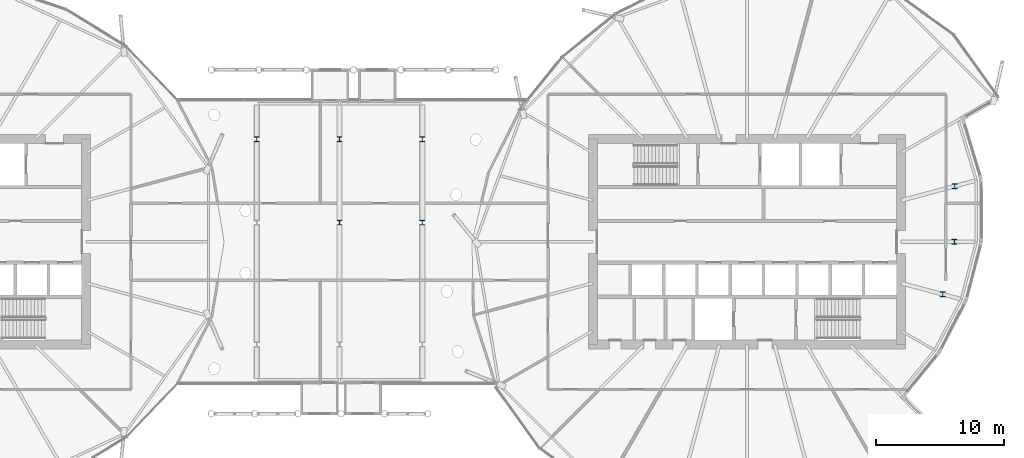
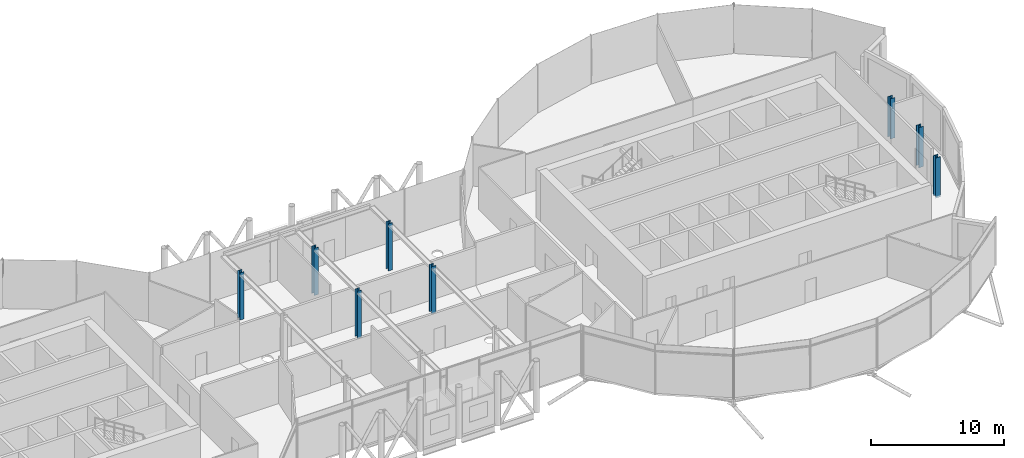
# One storey, part 2 of 36: 8 columns.
"""IFC4 building model written with IfcOpenShell, lengths in metres."""

from ifc_helpers import new_model, si_unit, direction, frame, origin, origin_2d, place, context, subcontext, project, spatial, i_section, extrude, material, material_profile, profile_set, type_object, element, save


model = new_model("IFC4")

# Units and contexts
model_context = context("Model", 3, precision=1e-05, world=origin(), true_north=direction((0.0, 1.0)))
body_context = subcontext(model_context, "Body", "Model", "MODEL_VIEW")
ifc_project = project(units=[si_unit("LENGTHUNIT", "METRE"), si_unit("AREAUNIT", "SQUARE_METRE"), si_unit("VOLUMEUNIT", "CUBIC_METRE"), si_unit("PLANEANGLEUNIT", "RADIAN"), si_unit("MASSUNIT", "GRAM", prefix="KILO")], contexts=[model_context])

# Site, building, storey
site_placement = place(None, origin())
site = spatial("IfcSite", under=ifc_project, at=site_placement, CompositionType="ELEMENT")
building_placement = place(site_placement, origin())
building = spatial("IfcBuilding", under=site, at=building_placement, Name="Rimbun Link Towers", CompositionType="ELEMENT")
storey_placement = place(building_placement, frame((0.0, 0.0, 154.39990234375)))
storey = spatial("IfcBuildingStorey", under=building, at=storey_placement, Name="L37", CompositionType="ELEMENT", Elevation=154.39990234375)

# Columns
ifc_material_1 = material(Name="Steel S355J2", Category="steel")
ifc_material_profile_1 = material_profile(ifc_material_1, i_section(OverallWidth=0.374755859375, OverallDepth=0.37451171875, WebThickness=0.0166015625, FlangeThickness=0.027099609375, at=origin_2d()), Name="UKC 356x368x202")
ifc_profile_set_1 = profile_set([ifc_material_profile_1], Name="Steel S355J2")
column_type_1 = type_object("IfcColumnType", Name="Link column UKC 356x368x202", PredefinedType="COLUMN", material=ifc_profile_set_1)
for number, where, z_axis, x_axis, name in (
    (1, (-6.449951171875, 8.0, 0.0), (0.0, 0.0, 1.0), (1.0, 0.0, 0.0), "Link column L37 3-1"),
    (2, (0.0, 1.5, 0.0), (0.0, 0.0, 1.0), (1.0, 0.0, 0.0), "Link column L37 2-2"),
    (3, (0.0, 8.0, 0.0), (0.0, 0.0, 1.0), (1.0, 0.0, 0.0), "Link column L37 3-2"),
    (4, (6.449951171875, 1.5, 0.0), (0.0, 0.0, 1.0), (1.0, 0.0, 0.0), "Link column L37 2-3"),
    (5, (6.449951171875, 8.0, 0.0), (0.0, 0.0, 1.0), (1.0, 0.0, 0.0), "Link column L37 3-3"),
):
    element("IfcColumn", number, at=place(storey_placement, frame(where, z_axis=z_axis, x_axis=x_axis)), inside=storey, type_object=column_type_1, Name=name, PredefinedType="COLUMN", context=body_context, shape_type="SweptSolid", body=[
        extrude(i_section(OverallWidth=0.374755859375, OverallDepth=0.37451171875, WebThickness=0.0166015625, FlangeThickness=0.027099609375, at=origin_2d()), origin(), (0.0, 0.0, 1.0), 4.340087890625),
    ])
ifc_material_2 = material(Name="Steel S355J2", Category="steel")
ifc_material_profile_2 = material_profile(ifc_material_2, i_section(OverallWidth=0.39892578125, OverallDepth=0.3935546875, WebThickness=0.022705078125, FlangeThickness=0.03662109375, at=origin_2d()), Name="UC 356x406x287")
ifc_profile_set_2 = profile_set([ifc_material_profile_2], Name="Steel S355J2")
column_type_2 = type_object("IfcColumnType", Name="UC 356x406x287", PredefinedType="COLUMN", material=ifc_profile_set_2)
for number, where, z_axis, x_axis, name in (
    (6, (47.01513671875, -4.09033203125, -0.179931640625), (0.0, 0.0, 1.0), (1.0, 0.0, 0.0), "Crease post T2 L37 20"),
    (7, (47.916748046875, 0.0, -0.179931640625), (0.0, 0.0, 1.0), (1.0, 0.0, 0.0), "Crease post T2 L37 21"),
    (8, (47.93603515625, 4.337158203125, -0.179931640625), (0.0, 0.0, 1.0), (1.0, 0.0, 0.0), "Crease post T2 L37 22"),
):
    element("IfcColumn", number, at=place(storey_placement, frame(where, z_axis=z_axis, x_axis=x_axis)), inside=storey, type_object=column_type_2, Name=name, PredefinedType="COLUMN", context=body_context, shape_type="SweptSolid", body=[
        extrude(i_section(OverallWidth=0.39892578125, OverallDepth=0.3935546875, WebThickness=0.022705078125, FlangeThickness=0.03662109375, at=origin_2d()), origin(), (0.0, 0.0, 1.0), 3.689208984375),
    ])

save(model, "model.ifc")
